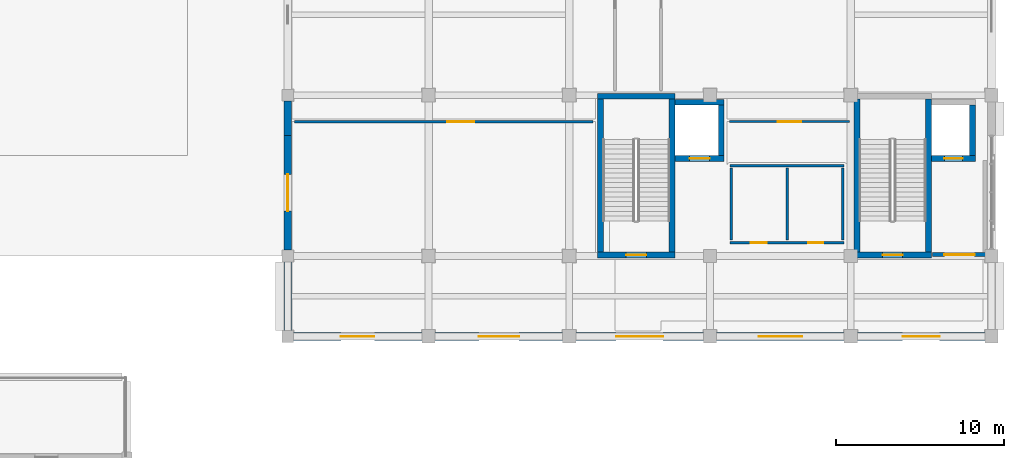
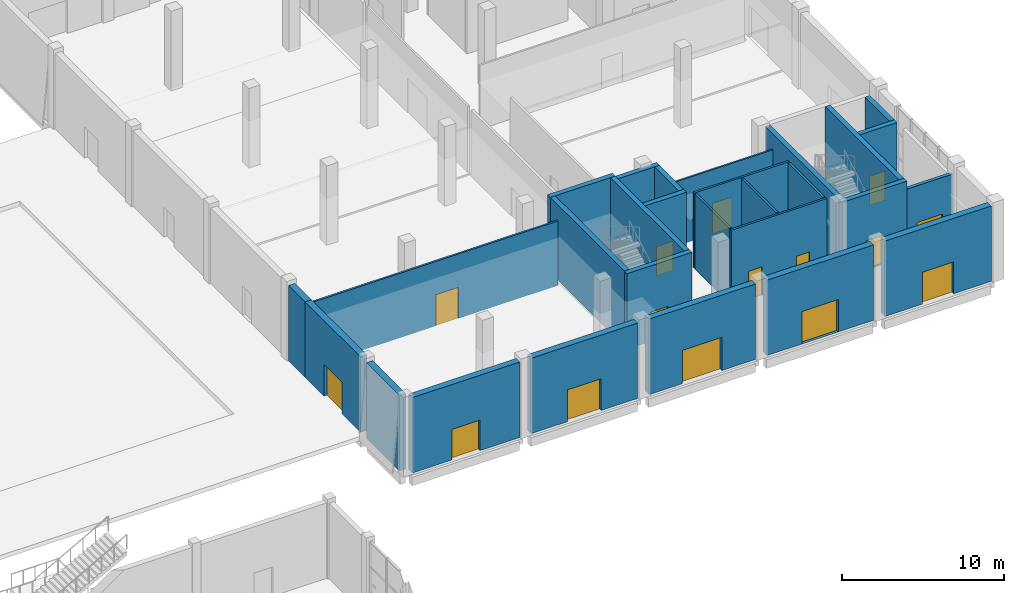
# One storey, part 59 of 84: 28 walls, 15 doors, 15 openings.
"""IFC4 building model written with IfcOpenShell, lengths in metres."""

from ifc_helpers import new_model, si_unit, direction, frame, frame_2d, origin, place, context, subcontext, project, spatial, rectangle, extrude, material, layer, layer_set, type_object, element, fill, save


model = new_model("IFC4")

# Units and contexts
model_context = context("Model", 3, precision=1e-05, world=origin(), true_north=direction((0.0, 1.0)))
body_context = subcontext(model_context, "Body", "Model", "MODEL_VIEW")
ifc_project = project(units=[si_unit("LENGTHUNIT", "METRE"), si_unit("AREAUNIT", "SQUARE_METRE"), si_unit("VOLUMEUNIT", "CUBIC_METRE"), si_unit("PLANEANGLEUNIT", "RADIAN"), si_unit("MASSUNIT", "GRAM", prefix="KILO")], contexts=[model_context])

# Site, building, storey
site_placement = place(None, origin())
site = spatial("IfcSite", under=ifc_project, at=site_placement, CompositionType="ELEMENT")
building_placement = place(site_placement, origin())
building = spatial("IfcBuilding", under=site, at=building_placement, Name="Shalvenor Court Art Gallery", CompositionType="ELEMENT")
storey_placement = place(building_placement, origin())
storey = spatial("IfcBuildingStorey", under=building, at=storey_placement, Name="L00", CompositionType="ELEMENT", Elevation=0.0)

# Wall
ifc_material_1 = material(Name="Concrete C40/50", Category="concrete")
ifc_layer_1 = layer(ifc_material_1, 0.35009765625, Name="Concrete C40/50")
ifc_layer_set_1 = layer_set([ifc_layer_1], Name="Concrete C40/50")
wall_type_1 = type_object("IfcWallType", Name="CW-W1", PredefinedType="SHEAR", material=ifc_layer_set_1)
wall_1_placement = place(storey_placement, frame((172.636962890625, 59.761962890625, 0.0), z_axis=(0.0, 0.0, 1.0), x_axis=(0.0, -1.0, 0.0)))
element("IfcWall", 1, at=wall_1_placement, inside=storey, type_object=wall_type_1, Name="L00 C2 Stair Core Shear Wall E", PredefinedType="SHEAR", context=body_context, shape_type="SweptSolid", body=[
    extrude(rectangle(XDim=9.1240234375, YDim=0.35009765625, at=frame_2d((4.56201171875, 0.0))), origin(), (0.0, 0.0, 1.0), 5.679931640625),
])

# Wall, opening, door
wall_2_placement = place(storey_placement, frame((172.81201171875, 50.462890625, 0.0), z_axis=(0.0, 0.0, 1.0), x_axis=(-1.0, 0.0, 0.0)))
wall_2 = element("IfcWall", 2, at=wall_2_placement, inside=storey, type_object=wall_type_1, Name="L00 C2 Stair Core Shear Wall S", PredefinedType="SHEAR", context=body_context, shape_type="SweptSolid", body=[
    extrude(rectangle(XDim=4.6240234375, YDim=0.35009765625, at=frame_2d((2.31201171875, 0.0))), origin(), (0.0, 0.0, 1.0), 5.679931640625),
])
opening_1_placement = place(wall_2_placement, frame((1.7119140625, 0.0, 0.0)))
opening_1 = element("IfcOpeningElement", 3, at=opening_1_placement, cuts=wall_2, Name="Opening FD-01", PredefinedType="OPENING", context=body_context, shape_type="SweptSolid", body=[
    extrude(rectangle(XDim=1.199951171875, YDim=2.199951171875, at=frame_2d((0.60009765625, 1.10009765625))), frame((0.0, 0.18505859375, 0.0), z_axis=(0.0, -1.0, 0.0), x_axis=(1.0, 0.0, 0.0)), (0.0, 0.0, 1.0), 0.3701171875),
])
ifc_material_2 = material(Name="Fire-rated steel stair doorset", Category="steel")
door_type_1 = type_object("IfcDoorType", Name="FD-01", OperationType="NOTDEFINED", PredefinedType="DOOR", material=ifc_material_2)
door_1_placement = place(opening_1_placement, origin())
door_1 = element("IfcDoor", 4, at=door_1_placement, inside=storey, type_object=door_type_1, Name="DR-ST-L00-C2 L00 ST-02 Fire Stair Door", OperationType="SINGLE_SWING_RIGHT", OverallHeight=2.199951171875, OverallWidth=1.199951171875, PredefinedType="DOOR", context=body_context, shape_type="SweptSolid", body=[
    extrude(rectangle(XDim=1.199951171875, YDim=2.199951171875, at=frame_2d((0.60009765625, 1.10009765625))), frame((0.0, 0.02490234375, 0.0), z_axis=(0.0, -1.0, 0.0), x_axis=(1.0, 0.0, 0.0)), (0.0, 0.0, 1.0), 0.050048828125),
])
fill(opening_1, door_1)

# Walls
wall_3_placement = place(storey_placement, frame((168.363037109375, 50.637939453125, 0.0), z_axis=(0.0, 0.0, 1.0), x_axis=(0.0, 1.0, 0.0)))
element("IfcWall", 5, at=wall_3_placement, inside=storey, type_object=wall_type_1, Name="L00 C2 Stair Core Shear Wall W", PredefinedType="SHEAR", context=body_context, shape_type="SweptSolid", body=[
    extrude(rectangle(XDim=9.1240234375, YDim=0.35009765625, at=frame_2d((4.56201171875, 0.0))), origin(), (0.0, 0.0, 1.0), 5.679931640625),
])
wall_4_placement = place(storey_placement, frame((175.27490234375, 59.39990234375, 0.0), z_axis=(0.0, 0.0, 1.0), x_axis=(0.0, -1.0, 0.0)))
element("IfcWall", 6, at=wall_4_placement, inside=storey, type_object=wall_type_1, Name="L00 FL-02 Lift Shaft Wall E", PredefinedType="SHEAR", context=body_context, shape_type="SweptSolid", body=[
    extrude(rectangle(XDim=3.0, YDim=0.35009765625, at=frame_2d((1.5, 0.0))), origin(), (0.0, 0.0, 1.0), 5.679931640625),
])

# Wall, opening, door
wall_5_placement = place(storey_placement, frame((175.449951171875, 56.22509765625, 0.0), z_axis=(0.0, 0.0, 1.0), x_axis=(-1.0, 0.0, 0.0)))
wall_5 = element("IfcWall", 7, at=wall_5_placement, inside=storey, type_object=wall_type_1, Name="L00 FL-02 Lift Shaft Wall S", PredefinedType="SHEAR", context=body_context, shape_type="SweptSolid", body=[
    extrude(rectangle(XDim=2.637939453125, YDim=0.35009765625, at=frame_2d((1.31884765625, 0.0))), origin(), (0.0, 0.0, 1.0), 5.679931640625),
])
opening_2_placement = place(wall_5_placement, frame((0.76904296875, 0.0, 0.0)))
opening_2 = element("IfcOpeningElement", 8, at=opening_2_placement, cuts=wall_5, Name="Opening LD-01", PredefinedType="OPENING", context=body_context, shape_type="SweptSolid", body=[
    extrude(rectangle(XDim=1.10009765625, YDim=2.199951171875, at=frame_2d((0.550048828125, 1.10009765625))), frame((0.0, 0.18505859375, 0.0), z_axis=(0.0, -1.0, 0.0), x_axis=(1.0, 0.0, 0.0)), (0.0, 0.0, 1.0), 0.3701171875),
])
ifc_material_3 = material(Name="Stainless steel firefighting lift sliding landing door", Category="steel")
door_type_2 = type_object("IfcDoorType", Name="LD-01", OperationType="NOTDEFINED", PredefinedType="DOOR", material=ifc_material_3)
door_2_placement = place(opening_2_placement, origin())
door_2 = element("IfcDoor", 9, at=door_2_placement, inside=storey, type_object=door_type_2, Name="DR-LD-L00-FL-02 L00 FL-02 Lift Landing Sliding Door", OperationType="DOUBLE_DOOR_SLIDING", OverallHeight=2.199951171875, OverallWidth=1.10009765625, PredefinedType="DOOR", context=body_context, shape_type="SweptSolid", body=[
    extrude(rectangle(XDim=1.10009765625, YDim=2.199951171875, at=frame_2d((0.550048828125, 1.10009765625))), frame((0.0, 0.02490234375, 0.0), z_axis=(0.0, -1.0, 0.0), x_axis=(1.0, 0.0, 0.0)), (0.0, 0.0, 1.0), 0.050048828125),
])
fill(opening_2, door_2)

# Walls
wall_6_placement = place(storey_placement, frame((152.887939453125, 59.93701171875, 0.0), z_axis=(0.0, 0.0, 1.0), x_axis=(1.0, 0.0, 0.0)))
element("IfcWall", 10, at=wall_6_placement, inside=storey, type_object=wall_type_1, Name="L00 C3 Stair Core Shear Wall N", PredefinedType="SHEAR", context=body_context, shape_type="SweptSolid", body=[
    extrude(rectangle(XDim=4.6240234375, YDim=0.35009765625, at=frame_2d((2.31201171875, 0.0))), origin(), (0.0, 0.0, 1.0), 5.679931640625),
])
wall_7_placement = place(storey_placement, frame((157.3369140625, 59.761962890625, 0.0), z_axis=(0.0, 0.0, 1.0), x_axis=(0.0, -1.0, 0.0)))
element("IfcWall", 11, at=wall_7_placement, inside=storey, type_object=wall_type_1, Name="L00 C3 Stair Core Shear Wall E", PredefinedType="SHEAR", context=body_context, shape_type="SweptSolid", body=[
    extrude(rectangle(XDim=9.1240234375, YDim=0.35009765625, at=frame_2d((4.56201171875, 0.0))), origin(), (0.0, 0.0, 1.0), 5.679931640625),
])

# Wall, opening, door
wall_8_placement = place(storey_placement, frame((157.511962890625, 50.462890625, 0.0), z_axis=(0.0, 0.0, 1.0), x_axis=(-1.0, 0.0, 0.0)))
wall_8 = element("IfcWall", 12, at=wall_8_placement, inside=storey, type_object=wall_type_1, Name="L00 C3 Stair Core Shear Wall S", PredefinedType="SHEAR", context=body_context, shape_type="SweptSolid", body=[
    extrude(rectangle(XDim=4.6240234375, YDim=0.35009765625, at=frame_2d((2.31201171875, 0.0))), origin(), (0.0, 0.0, 1.0), 5.679931640625),
])
opening_3_placement = place(wall_8_placement, frame((1.7119140625, 0.0, 0.0)))
opening_3 = element("IfcOpeningElement", 13, at=opening_3_placement, cuts=wall_8, Name="Opening FD-01", PredefinedType="OPENING", context=body_context, shape_type="SweptSolid", body=[
    extrude(rectangle(XDim=1.199951171875, YDim=2.199951171875, at=frame_2d((0.60009765625, 1.10009765625))), frame((0.0, 0.18505859375, 0.0), z_axis=(0.0, -1.0, 0.0), x_axis=(1.0, 0.0, 0.0)), (0.0, 0.0, 1.0), 0.3701171875),
])
door_3_placement = place(opening_3_placement, origin())
door_3 = element("IfcDoor", 14, at=door_3_placement, inside=storey, type_object=door_type_1, Name="DR-ST-L00-C3 L00 ST-03 Fire Stair Door", OperationType="SINGLE_SWING_LEFT", OverallHeight=2.199951171875, OverallWidth=1.199951171875, PredefinedType="DOOR", context=body_context, shape_type="SweptSolid", body=[
    extrude(rectangle(XDim=1.199951171875, YDim=2.199951171875, at=frame_2d((0.60009765625, 1.10009765625))), frame((0.0, 0.02490234375, 0.0), z_axis=(0.0, -1.0, 0.0), x_axis=(1.0, 0.0, 0.0)), (0.0, 0.0, 1.0), 0.050048828125),
])
fill(opening_3, door_3)

# Walls
wall_9_placement = place(storey_placement, frame((153.06298828125, 50.637939453125, 0.0), z_axis=(0.0, 0.0, 1.0), x_axis=(0.0, 1.0, 0.0)))
element("IfcWall", 15, at=wall_9_placement, inside=storey, type_object=wall_type_1, Name="L00 C3 Stair Core Shear Wall W", PredefinedType="SHEAR", context=body_context, shape_type="SweptSolid", body=[
    extrude(rectangle(XDim=9.1240234375, YDim=0.35009765625, at=frame_2d((4.56201171875, 0.0))), origin(), (0.0, 0.0, 1.0), 5.679931640625),
])
wall_10_placement = place(storey_placement, frame((157.511962890625, 59.574951171875, 0.0), z_axis=(0.0, 0.0, 1.0), x_axis=(1.0, 0.0, 0.0)))
element("IfcWall", 16, at=wall_10_placement, inside=storey, type_object=wall_type_1, Name="L00 PL-01 Lift Shaft Wall N", PredefinedType="SHEAR", context=body_context, shape_type="SweptSolid", body=[
    extrude(rectangle(XDim=2.93798828125, YDim=0.35009765625, at=frame_2d((1.468994140625, 0.0))), origin(), (0.0, 0.0, 1.0), 5.679931640625),
])
wall_11_placement = place(storey_placement, frame((160.27490234375, 59.39990234375, 0.0), z_axis=(0.0, 0.0, 1.0), x_axis=(0.0, -1.0, 0.0)))
element("IfcWall", 17, at=wall_11_placement, inside=storey, type_object=wall_type_1, Name="L00 PL-01 Lift Shaft Wall E", PredefinedType="SHEAR", context=body_context, shape_type="SweptSolid", body=[
    extrude(rectangle(XDim=3.0, YDim=0.35009765625, at=frame_2d((1.5, 0.0))), origin(), (0.0, 0.0, 1.0), 5.679931640625),
])

# Wall, opening, door
wall_12_placement = place(storey_placement, frame((160.449951171875, 56.22509765625, 0.0), z_axis=(0.0, 0.0, 1.0), x_axis=(-1.0, 0.0, 0.0)))
wall_12 = element("IfcWall", 18, at=wall_12_placement, inside=storey, type_object=wall_type_1, Name="L00 PL-01 Lift Shaft Wall S", PredefinedType="SHEAR", context=body_context, shape_type="SweptSolid", body=[
    extrude(rectangle(XDim=2.93798828125, YDim=0.35009765625, at=frame_2d((1.468994140625, 0.0))), origin(), (0.0, 0.0, 1.0), 5.679931640625),
])
opening_4_placement = place(wall_12_placement, frame((0.868896484375, 0.0, 0.0)))
opening_4 = element("IfcOpeningElement", 19, at=opening_4_placement, cuts=wall_12, Name="Opening LD-02", PredefinedType="OPENING", context=body_context, shape_type="SweptSolid", body=[
    extrude(rectangle(XDim=1.199951171875, YDim=2.199951171875, at=frame_2d((0.60009765625, 1.10009765625))), frame((0.0, 0.18505859375, 0.0), z_axis=(0.0, -1.0, 0.0), x_axis=(1.0, 0.0, 0.0)), (0.0, 0.0, 1.0), 0.3701171875),
])
ifc_material_4 = material(Name="Brushed stainless passenger lift sliding landing door", Category="steel")
door_type_3 = type_object("IfcDoorType", Name="LD-02", OperationType="NOTDEFINED", PredefinedType="DOOR", material=ifc_material_4)
door_4_placement = place(opening_4_placement, origin())
door_4 = element("IfcDoor", 20, at=door_4_placement, inside=storey, type_object=door_type_3, Name="DR-LD-L00-PL-01 L00 PL-01 Lift Landing Sliding Door", OperationType="DOUBLE_DOOR_SLIDING", OverallHeight=2.199951171875, OverallWidth=1.199951171875, PredefinedType="DOOR", context=body_context, shape_type="SweptSolid", body=[
    extrude(rectangle(XDim=1.199951171875, YDim=2.199951171875, at=frame_2d((0.60009765625, 1.10009765625))), frame((0.0, 0.02490234375, 0.0), z_axis=(0.0, -1.0, 0.0), x_axis=(1.0, 0.0, 0.0)), (0.0, 0.0, 1.0), 0.050048828125),
])
fill(opening_4, door_4)

ifc_material_5 = material(Name="Concrete C40/50", Category="concrete")
ifc_layer_2 = layer(ifc_material_5, 0.4599609375, Name="Concrete C40/50")
ifc_layer_set_2 = layer_set([ifc_layer_2], Name="Concrete C40/50")
wall_type_2 = type_object("IfcWallType", Name="EW-01", PredefinedType="SOLIDWALL", material=ifc_layer_set_2)
wall_13_placement = place(storey_placement, frame((176.0, 45.60009765625, 0.0), z_axis=(0.0, 0.0, 1.0), x_axis=(-1.0, 0.0, 0.0)))
wall_13 = element("IfcWall", 21, at=wall_13_placement, inside=storey, type_object=wall_type_2, Name="L00 V1 Exterior Wall WL-L00-0035", PredefinedType="SOLIDWALL", context=body_context, shape_type="SweptSolid", body=[
    extrude(rectangle(XDim=7.60009765625, YDim=0.4599609375, at=frame_2d((3.800048828125, 0.0))), origin(), (0.0, 0.0, 1.0), 5.679931640625),
])
opening_5_placement = place(wall_13_placement, frame((2.699951171875, 0.0, 0.0)))
opening_5 = element("IfcOpeningElement", 22, at=opening_5_placement, cuts=wall_13, Name="Opening ED-04", PredefinedType="OPENING", context=body_context, shape_type="SweptSolid", body=[
    extrude(rectangle(XDim=2.199951171875, YDim=2.39990234375, at=frame_2d((1.10009765625, 1.199951171875))), frame((0.0, 0.239990234375, 0.0), z_axis=(0.0, -1.0, 0.0), x_axis=(1.0, 0.0, 0.0)), (0.0, 0.0, 1.0), 0.47998046875),
])
ifc_material_6 = material(Name="Anodised bronze glazed exit doorset", Category="aluminium")
door_type_4 = type_object("IfcDoorType", Name="ED-04", OperationType="NOTDEFINED", PredefinedType="DOOR", material=ifc_material_6)
door_5_placement = place(opening_5_placement, origin())
door_5 = element("IfcDoor", 23, at=door_5_placement, inside=storey, type_object=door_type_4, Name="DR-EX-09 L00 Pedestrian Final Exit Door", OperationType="DOUBLE_DOOR_SINGLE_SWING", OverallHeight=2.39990234375, OverallWidth=2.199951171875, PredefinedType="DOOR", context=body_context, shape_type="SweptSolid", body=[
    extrude(rectangle(XDim=2.199951171875, YDim=2.39990234375, at=frame_2d((1.10009765625, 1.199951171875))), frame((0.0, 0.02490234375, 0.0), z_axis=(0.0, -1.0, 0.0), x_axis=(1.0, 0.0, 0.0)), (0.0, 0.0, 1.0), 0.050048828125),
])
fill(opening_5, door_5)

wall_14_placement = place(storey_placement, frame((167.60009765625, 45.60009765625, 0.0), z_axis=(0.0, 0.0, 1.0), x_axis=(-1.0, 0.0, 0.0)))
wall_14 = element("IfcWall", 24, at=wall_14_placement, inside=storey, type_object=wall_type_2, Name="L00 V1 Exterior Wall WL-L00-0036", PredefinedType="SOLIDWALL", context=body_context, shape_type="SweptSolid", body=[
    extrude(rectangle(XDim=7.60009765625, YDim=0.4599609375, at=frame_2d((3.800048828125, 0.0))), origin(), (0.0, 0.0, 1.0), 5.679931640625),
])
opening_6_placement = place(wall_14_placement, frame((2.5, 0.0, 0.0)))
opening_6 = element("IfcOpeningElement", 25, at=opening_6_placement, cuts=wall_14, Name="Opening ED-05", PredefinedType="OPENING", context=body_context, shape_type="SweptSolid", body=[
    extrude(rectangle(XDim=2.60009765625, YDim=2.449951171875, at=frame_2d((1.300048828125, 1.22509765625))), frame((0.0, 0.239990234375, 0.0), z_axis=(0.0, -1.0, 0.0), x_axis=(1.0, 0.0, 0.0)), (0.0, 0.0, 1.0), 0.47998046875),
])
ifc_material_7 = material(Name="Anodised bronze glazed exit doorset", Category="aluminium")
door_type_5 = type_object("IfcDoorType", Name="ED-05", OperationType="NOTDEFINED", PredefinedType="DOOR", material=ifc_material_7)
door_6_placement = place(opening_6_placement, origin())
door_6 = element("IfcDoor", 26, at=door_6_placement, inside=storey, type_object=door_type_5, Name="DR-EX-10 L00 Pedestrian Final Exit Door", OperationType="DOUBLE_DOOR_SINGLE_SWING", OverallHeight=2.449951171875, OverallWidth=2.60009765625, PredefinedType="DOOR", context=body_context, shape_type="SweptSolid", body=[
    extrude(rectangle(XDim=2.60009765625, YDim=2.449951171875, at=frame_2d((1.300048828125, 1.22509765625))), frame((0.0, 0.02490234375, 0.0), z_axis=(0.0, -1.0, 0.0), x_axis=(1.0, 0.0, 0.0)), (0.0, 0.0, 1.0), 0.050048828125),
])
fill(opening_6, door_6)

wall_15_placement = place(storey_placement, frame((159.199951171875, 45.60009765625, 0.0), z_axis=(0.0, 0.0, 1.0), x_axis=(-1.0, 0.0, 0.0)))
wall_15 = element("IfcWall", 27, at=wall_15_placement, inside=storey, type_object=wall_type_2, Name="L00 V1 Exterior Wall WL-L00-0037", PredefinedType="SOLIDWALL", context=body_context, shape_type="SweptSolid", body=[
    extrude(rectangle(XDim=7.599853515625, YDim=0.4599609375, at=frame_2d((3.7998046875, 0.0))), origin(), (0.0, 0.0, 1.0), 5.679931640625),
])
opening_7_placement = place(wall_15_placement, frame((2.39990234375, 0.0, 0.0)))
opening_7 = element("IfcOpeningElement", 28, at=opening_7_placement, cuts=wall_15, Name="Opening ED-01", PredefinedType="OPENING", context=body_context, shape_type="SweptSolid", body=[
    extrude(rectangle(XDim=2.800048828125, YDim=2.5, at=frame_2d((1.39990234375, 1.25))), frame((0.0, 0.239990234375, 0.0), z_axis=(0.0, -1.0, 0.0), x_axis=(1.0, 0.0, 0.0)), (0.0, 0.0, 1.0), 0.47998046875),
])
ifc_material_8 = material(Name="Anodised bronze glazed exit doorset", Category="aluminium")
door_type_6 = type_object("IfcDoorType", Name="ED-01", OperationType="NOTDEFINED", PredefinedType="DOOR", material=ifc_material_8)
door_7_placement = place(opening_7_placement, origin())
door_7 = element("IfcDoor", 29, at=door_7_placement, inside=storey, type_object=door_type_6, Name="DR-EX-11 L00 Pedestrian Final Exit Door", OperationType="DOUBLE_DOOR_SINGLE_SWING", OverallHeight=2.5, OverallWidth=2.800048828125, PredefinedType="DOOR", context=body_context, shape_type="SweptSolid", body=[
    extrude(rectangle(XDim=2.800048828125, YDim=2.5, at=frame_2d((1.39990234375, 1.25))), frame((0.0, 0.02490234375, 0.0), z_axis=(0.0, -1.0, 0.0), x_axis=(1.0, 0.0, 0.0)), (0.0, 0.0, 1.0), 0.050048828125),
])
fill(opening_7, door_7)

wall_16_placement = place(storey_placement, frame((150.800048828125, 45.60009765625, 0.0), z_axis=(0.0, 0.0, 1.0), x_axis=(-1.0, 0.0, 0.0)))
wall_16 = element("IfcWall", 30, at=wall_16_placement, inside=storey, type_object=wall_type_2, Name="L00 V1 Exterior Wall WL-L00-0038", PredefinedType="SOLIDWALL", context=body_context, shape_type="SweptSolid", body=[
    extrude(rectangle(XDim=7.60009765625, YDim=0.4599609375, at=frame_2d((3.800048828125, 0.0))), origin(), (0.0, 0.0, 1.0), 5.679931640625),
])
opening_8_placement = place(wall_16_placement, frame((2.60009765625, 0.0, 0.0)))
opening_8 = element("IfcOpeningElement", 31, at=opening_8_placement, cuts=wall_16, Name="Opening ED-02", PredefinedType="OPENING", context=body_context, shape_type="SweptSolid", body=[
    extrude(rectangle(XDim=2.39990234375, YDim=2.39990234375, at=frame_2d((1.199951171875, 1.199951171875))), frame((0.0, 0.239990234375, 0.0), z_axis=(0.0, -1.0, 0.0), x_axis=(1.0, 0.0, 0.0)), (0.0, 0.0, 1.0), 0.47998046875),
])
ifc_material_9 = material(Name="Anodised bronze glazed exit doorset", Category="aluminium")
door_type_7 = type_object("IfcDoorType", Name="ED-02", OperationType="NOTDEFINED", PredefinedType="DOOR", material=ifc_material_9)
door_8_placement = place(opening_8_placement, origin())
door_8 = element("IfcDoor", 32, at=door_8_placement, inside=storey, type_object=door_type_7, Name="DR-EX-12 L00 Pedestrian Final Exit Door", OperationType="DOUBLE_DOOR_SINGLE_SWING", OverallHeight=2.39990234375, OverallWidth=2.39990234375, PredefinedType="DOOR", context=body_context, shape_type="SweptSolid", body=[
    extrude(rectangle(XDim=2.39990234375, YDim=2.39990234375, at=frame_2d((1.199951171875, 1.199951171875))), frame((0.0, 0.02490234375, 0.0), z_axis=(0.0, -1.0, 0.0), x_axis=(1.0, 0.0, 0.0)), (0.0, 0.0, 1.0), 0.050048828125),
])
fill(opening_8, door_8)

wall_17_placement = place(storey_placement, frame((142.39990234375, 45.60009765625, 0.0), z_axis=(0.0, 0.0, 1.0), x_axis=(-1.0, 0.0, 0.0)))
wall_17 = element("IfcWall", 33, at=wall_17_placement, inside=storey, type_object=wall_type_2, Name="L00 V1 Exterior Wall WL-L00-0039", PredefinedType="SOLIDWALL", context=body_context, shape_type="SweptSolid", body=[
    extrude(rectangle(XDim=7.64990234375, YDim=0.4599609375, at=frame_2d((3.824951171875, 0.0))), origin(), (0.0, 0.0, 1.0), 5.679931640625),
])
opening_9_placement = place(wall_17_placement, frame((2.824951171875, 0.0, 0.0)))
opening_9 = element("IfcOpeningElement", 34, at=opening_9_placement, cuts=wall_17, Name="Opening ED-03", PredefinedType="OPENING", context=body_context, shape_type="SweptSolid", body=[
    extrude(rectangle(XDim=2.0, YDim=2.300048828125, at=frame_2d((1.0, 1.14990234375))), frame((0.0, 0.239990234375, 0.0), z_axis=(0.0, -1.0, 0.0), x_axis=(1.0, 0.0, 0.0)), (0.0, 0.0, 1.0), 0.47998046875),
])
ifc_material_10 = material(Name="Anodised bronze glazed exit doorset", Category="aluminium")
door_type_8 = type_object("IfcDoorType", Name="ED-03", OperationType="NOTDEFINED", PredefinedType="DOOR", material=ifc_material_10)
door_9_placement = place(opening_9_placement, origin())
door_9 = element("IfcDoor", 35, at=door_9_placement, inside=storey, type_object=door_type_8, Name="DR-EX-13 L00 Pedestrian Final Exit Door", OperationType="DOUBLE_DOOR_SINGLE_SWING", OverallHeight=2.300048828125, OverallWidth=2.0, PredefinedType="DOOR", context=body_context, shape_type="SweptSolid", body=[
    extrude(rectangle(XDim=2.0, YDim=2.300048828125, at=frame_2d((1.0, 1.14990234375))), frame((0.0, 0.02490234375, 0.0), z_axis=(0.0, -1.0, 0.0), x_axis=(1.0, 0.0, 0.0)), (0.0, 0.0, 1.0), 0.050048828125),
])
fill(opening_9, door_9)

# Wall
wall_18_placement = place(storey_placement, frame((134.39990234375, 45.949951171875, 0.0), z_axis=(0.0, 0.0, 1.0), x_axis=(0.0, 1.0, 0.0)))
element("IfcWall", 36, at=wall_18_placement, inside=storey, type_object=wall_type_2, Name="L00 V1 Exterior Wall WL-L00-0040", PredefinedType="SOLIDWALL", context=body_context, shape_type="SweptSolid", body=[
    extrude(rectangle(XDim=4.10009765625, YDim=0.4599609375, at=frame_2d((2.050048828125, 0.0))), origin(), (0.0, 0.0, 1.0), 5.679931640625),
])

# Wall, opening, door
wall_19_placement = place(storey_placement, frame((134.39990234375, 50.75, 0.0), z_axis=(0.0, 0.0, 1.0), x_axis=(0.0, 1.0, 0.0)))
wall_19 = element("IfcWall", 37, at=wall_19_placement, inside=storey, type_object=wall_type_2, Name="L00 V1 Exterior Wall WL-L00-0041", PredefinedType="SOLIDWALL", context=body_context, shape_type="SweptSolid", body=[
    extrude(rectangle(XDim=6.85009765625, YDim=0.4599609375, at=frame_2d((3.425048828125, 0.0))), origin(), (0.0, 0.0, 1.0), 5.679931640625),
])
opening_10_placement = place(wall_19_placement, frame((2.324951171875, 0.0, 0.0)))
opening_10 = element("IfcOpeningElement", 38, at=opening_10_placement, cuts=wall_19, Name="Opening ED-04", PredefinedType="OPENING", context=body_context, shape_type="SweptSolid", body=[
    extrude(rectangle(XDim=2.199951171875, YDim=2.39990234375, at=frame_2d((1.10009765625, 1.199951171875))), frame((0.0, 0.239990234375, 0.0), z_axis=(0.0, -1.0, 0.0), x_axis=(1.0, 0.0, 0.0)), (0.0, 0.0, 1.0), 0.47998046875),
])
door_10_placement = place(opening_10_placement, origin())
door_10 = element("IfcDoor", 39, at=door_10_placement, inside=storey, type_object=door_type_4, Name="DR-EX-14 L00 Pedestrian Final Exit Door", OperationType="DOUBLE_DOOR_SINGLE_SWING", OverallHeight=2.39990234375, OverallWidth=2.199951171875, PredefinedType="DOOR", context=body_context, shape_type="SweptSolid", body=[
    extrude(rectangle(XDim=2.199951171875, YDim=2.39990234375, at=frame_2d((1.10009765625, 1.199951171875))), frame((0.0, 0.02490234375, 0.0), z_axis=(0.0, -1.0, 0.0), x_axis=(1.0, 0.0, 0.0)), (0.0, 0.0, 1.0), 0.050048828125),
])
fill(opening_10, door_10)

# Wall
wall_20_placement = place(storey_placement, frame((134.39990234375, 57.60009765625, 0.0), z_axis=(0.0, 0.0, 1.0), x_axis=(0.0, 1.0, 0.0)))
element("IfcWall", 40, at=wall_20_placement, inside=storey, type_object=wall_type_2, Name="L00 V1 Exterior Wall WL-L00-0042", PredefinedType="SOLIDWALL", context=body_context, shape_type="SweptSolid", body=[
    extrude(rectangle(XDim=2.0498046875, YDim=0.4599609375, at=frame_2d((1.02490234375, 0.0))), origin(), (0.0, 0.0, 1.0), 5.679931640625),
])

# Wall, opening, door
ifc_material_11 = material(Name="Concrete blockwork fire wall", Category="masonry")
ifc_layer_3 = layer(ifc_material_11, 0.239990234375, Name="Concrete blockwork fire wall")
ifc_layer_set_3 = layer_set([ifc_layer_3], Name="Concrete blockwork fire wall")
wall_type_3 = type_object("IfcWallType", Name="FW-01", PredefinedType="PARTITIONING", material=ifc_layer_set_3)
wall_21_placement = place(storey_placement, frame((176.1201171875, 50.47998046875, 0.0), z_axis=(0.0, 0.0, 1.0), x_axis=(-1.0, 0.0, 0.0)))
wall_21 = element("IfcWall", 41, at=wall_21_placement, inside=storey, type_object=wall_type_3, Name="L00 C2 Firefighting Lobby Wall S", PredefinedType="PARTITIONING", context=body_context, shape_type="SweptSolid", body=[
    extrude(rectangle(XDim=3.25, YDim=0.239990234375, at=frame_2d((1.625, 0.0))), origin(), (0.0, 0.0, 1.0), 5.0048828125),
])
opening_11_placement = place(wall_21_placement, frame((0.72509765625, 0.0, 0.0)))
opening_11 = element("IfcOpeningElement", 42, at=opening_11_placement, cuts=wall_21, Name="Opening FD-02", PredefinedType="OPENING", context=body_context, shape_type="SweptSolid", body=[
    extrude(rectangle(XDim=1.800048828125, YDim=2.25, at=frame_2d((0.89990234375, 1.125))), frame((0.0, 0.1298828125, 0.0), z_axis=(0.0, -1.0, 0.0), x_axis=(1.0, 0.0, 0.0)), (0.0, 0.0, 1.0), 0.260009765625),
])
ifc_material_12 = material(Name="Fire-rated double lobby doorset", Category="steel")
door_type_9 = type_object("IfcDoorType", Name="FD-02", OperationType="NOTDEFINED", PredefinedType="DOOR", material=ifc_material_12)
door_11_placement = place(opening_11_placement, origin())
door_11 = element("IfcDoor", 43, at=door_11_placement, inside=storey, type_object=door_type_9, Name="DR-FFL-L00-C2 L00 C2 Firefighting Lobby Double Door", OperationType="DOUBLE_DOOR_SINGLE_SWING", OverallHeight=2.25, OverallWidth=1.800048828125, PredefinedType="DOOR", context=body_context, shape_type="SweptSolid", body=[
    extrude(rectangle(XDim=1.800048828125, YDim=2.25, at=frame_2d((0.89990234375, 1.125))), frame((0.0, 0.02490234375, 0.0), z_axis=(0.0, -1.0, 0.0), x_axis=(1.0, 0.0, 0.0)), (0.0, 0.0, 1.0), 0.050048828125),
])
fill(opening_11, door_11)

# Wall, openings, doors
ifc_material_13 = material(Name="Moisture-resistant sanitary partition", Category="other")
ifc_layer_4 = layer(ifc_material_13, 0.14990234375, Name="Moisture-resistant sanitary partition")
ifc_layer_set_4 = layer_set([ifc_layer_4], Name="Moisture-resistant sanitary partition")
wall_type_4 = type_object("IfcWallType", Name="PT-03", PredefinedType="PARTITIONING", material=ifc_layer_set_4)
wall_22_placement = place(storey_placement, frame((167.60009765625, 51.199951171875, 0.0), z_axis=(0.0, 0.0, 1.0), x_axis=(-1.0, 0.0, 0.0)))
wall_22 = element("IfcWall", 44, at=wall_22_placement, inside=storey, type_object=wall_type_4, Name="L00 C2 Restroom Front Partition", PredefinedType="PARTITIONING", context=body_context, shape_type="SweptSolid", body=[
    extrude(rectangle(XDim=6.800048828125, YDim=0.14990234375, at=frame_2d((3.39990234375, 0.0))), origin(), (0.0, 0.0, 1.0), 5.679931640625),
])
opening_12_placement = place(wall_22_placement, frame((1.25, 0.0, 0.0)))
opening_12 = element("IfcOpeningElement", 45, at=opening_12_placement, cuts=wall_22, Name="Opening ID-07", PredefinedType="OPENING", context=body_context, shape_type="SweptSolid", body=[
    extrude(rectangle(XDim=0.89990234375, YDim=2.10009765625, at=frame_2d((0.449951171875, 1.050048828125))), frame((0.0, 0.0849609375, 0.0), z_axis=(0.0, -1.0, 0.0), x_axis=(1.0, 0.0, 0.0)), (0.0, 0.0, 1.0), 0.169921875),
])
opening_13_placement = place(wall_22_placement, frame((4.625, 0.0, 0.0)))
opening_13 = element("IfcOpeningElement", 46, at=opening_13_placement, cuts=wall_22, Name="Opening ID-06", PredefinedType="OPENING", context=body_context, shape_type="SweptSolid", body=[
    extrude(rectangle(XDim=0.949951171875, YDim=2.14990234375, at=frame_2d((0.47509765625, 1.074951171875))), frame((0.0, 0.0849609375, 0.0), z_axis=(0.0, -1.0, 0.0), x_axis=(1.0, 0.0, 0.0)), (0.0, 0.0, 1.0), 0.169921875),
])
ifc_material_14 = material(Name="Accessible restroom doorset", Category="steel")
door_type_10 = type_object("IfcDoorType", Name="ID-06", OperationType="NOTDEFINED", PredefinedType="DOOR", material=ifc_material_14)
door_12_placement = place(opening_13_placement, origin())
door_12 = element("IfcDoor", 47, at=door_12_placement, inside=storey, type_object=door_type_10, Name="DR-AWC-L00-C2-2 L00 C2 Accessible Restroom Door", OperationType="SINGLE_SWING_RIGHT", OverallHeight=2.14990234375, OverallWidth=0.949951171875, PredefinedType="DOOR", context=body_context, shape_type="SweptSolid", body=[
    extrude(rectangle(XDim=0.949951171875, YDim=2.14990234375, at=frame_2d((0.47509765625, 1.074951171875))), frame((0.0, 0.02490234375, 0.0), z_axis=(0.0, -1.0, 0.0), x_axis=(1.0, 0.0, 0.0)), (0.0, 0.0, 1.0), 0.050048828125),
])
fill(opening_13, door_12)
ifc_material_15 = material(Name="Restroom timber doorset", Category="wood")
door_type_11 = type_object("IfcDoorType", Name="ID-07", OperationType="NOTDEFINED", PredefinedType="DOOR", material=ifc_material_15)
door_13_placement = place(opening_12_placement, origin())
door_13 = element("IfcDoor", 48, at=door_13_placement, inside=storey, type_object=door_type_11, Name="DR-WC-L00-C2-1 L00 C2 Public Restroom Door", OperationType="SINGLE_SWING_LEFT", OverallHeight=2.10009765625, OverallWidth=0.89990234375, PredefinedType="DOOR", context=body_context, shape_type="SweptSolid", body=[
    extrude(rectangle(XDim=0.89990234375, YDim=2.10009765625, at=frame_2d((0.449951171875, 1.050048828125))), frame((0.0, 0.02490234375, 0.0), z_axis=(0.0, -1.0, 0.0), x_axis=(1.0, 0.0, 0.0)), (0.0, 0.0, 1.0), 0.050048828125),
])
fill(opening_12, door_13)

# Walls
wall_23_placement = place(storey_placement, frame((160.800048828125, 55.800048828125, 0.0), z_axis=(0.0, 0.0, 1.0), x_axis=(1.0, 0.0, 0.0)))
element("IfcWall", 49, at=wall_23_placement, inside=storey, type_object=wall_type_4, Name="L00 C2 Restroom Back Partition", PredefinedType="PARTITIONING", context=body_context, shape_type="SweptSolid", body=[
    extrude(rectangle(XDim=6.800048828125, YDim=0.14990234375, at=frame_2d((3.39990234375, 0.0))), origin(), (0.0, 0.0, 1.0), 5.679931640625),
])
for number, where, z_axis, x_axis, name in (
    (50, (160.875, 51.360107421875, 0.0), (0.0, 0.0, 1.0), (0.0, 1.0, 0.0), "L00 C2 Restroom Partition L"),
    (51, (164.199951171875, 51.360107421875, 0.0), (0.0, 0.0, 1.0), (0.0, 1.0, 0.0), "L00 C2 Restroom Partition M"),
    (52, (167.52490234375, 51.360107421875, 0.0), (0.0, 0.0, 1.0), (0.0, 1.0, 0.0), "L00 C2 Restroom Partition R"),
):
    element("IfcWall", number, at=place(storey_placement, frame(where, z_axis=z_axis, x_axis=x_axis)), inside=storey, type_object=wall_type_4, Name=name, PredefinedType="PARTITIONING", context=body_context, shape_type="SweptSolid", body=[
        extrude(rectangle(XDim=4.27978515625, YDim=0.14990234375, at=frame_2d((2.139892578125, 0.0))), origin(), (0.0, 0.0, 1.0), 5.679931640625),
    ])

# Wall, opening, door
ifc_material_16 = material(Name="Insulated studio acoustic partition", Category="other")
ifc_layer_5 = layer(ifc_material_16, 0.135009765625, Name="Insulated studio acoustic partition")
ifc_layer_set_5 = layer_set([ifc_layer_5], Name="Insulated studio acoustic partition")
wall_type_5 = type_object("IfcWallType", Name="PT-04", PredefinedType="PARTITIONING", material=ifc_layer_set_5)
wall_24_placement = place(storey_placement, frame((134.800048828125, 58.419921875, 0.0), z_axis=(0.0, 0.0, 1.0), x_axis=(1.0, 0.0, 0.0)))
wall_24 = element("IfcWall", 53, at=wall_24_placement, inside=storey, type_object=wall_type_5, Name="L00 Public Entrance Foyer Partition 591", PredefinedType="PARTITIONING", context=body_context, shape_type="SweptSolid", body=[
    extrude(rectangle(XDim=17.829833984375, YDim=0.135009765625, at=frame_2d((8.9150390625, 0.0))), origin(), (0.0, 0.0, 1.0), 4.85498046875),
])
opening_14_placement = place(wall_24_placement, frame((9.114990234375, 0.0, 0.0)))
opening_14 = element("IfcOpeningElement", 54, at=opening_14_placement, cuts=wall_24, Name="Opening ID-02", PredefinedType="OPENING", context=body_context, shape_type="SweptSolid", body=[
    extrude(rectangle(XDim=1.60009765625, YDim=2.35009765625, at=frame_2d((0.800048828125, 1.175048828125))), frame((0.0, 0.077392578125, 0.0), z_axis=(0.0, -1.0, 0.0), x_axis=(1.0, 0.0, 0.0)), (0.0, 0.0, 1.0), 0.155029296875),
])
ifc_material_17 = material(Name="Oak-veneered gallery double doorset", Category="wood")
door_type_12 = type_object("IfcDoorType", Name="ID-02", OperationType="NOTDEFINED", PredefinedType="DOOR", material=ifc_material_17)
door_14_placement = place(opening_14_placement, origin())
door_14 = element("IfcDoor", 55, at=door_14_placement, inside=storey, type_object=door_type_12, Name="DR-RM-L00-0122 L00 Public Entrance Foyer Door", OperationType="DOUBLE_DOOR_SINGLE_SWING", OverallHeight=2.35009765625, OverallWidth=1.60009765625, PredefinedType="DOOR", context=body_context, shape_type="SweptSolid", body=[
    extrude(rectangle(XDim=1.60009765625, YDim=2.35009765625, at=frame_2d((0.800048828125, 1.175048828125))), frame((0.0, 0.02490234375, 0.0), z_axis=(0.0, -1.0, 0.0), x_axis=(1.0, 0.0, 0.0)), (0.0, 0.0, 1.0), 0.050048828125),
])
fill(opening_14, door_14)

ifc_material_18 = material(Name="Lightweight office gypsum partition", Category="other")
ifc_layer_6 = layer(ifc_material_18, 0.1201171875, Name="Lightweight office gypsum partition")
ifc_layer_set_6 = layer_set([ifc_layer_6], Name="Lightweight office gypsum partition")
wall_type_6 = type_object("IfcWallType", Name="PT-05", PredefinedType="PARTITIONING", material=ifc_layer_set_6)
wall_25_placement = place(storey_placement, frame((160.77001953125, 58.419921875, 0.0), z_axis=(0.0, 0.0, 1.0), x_axis=(1.0, 0.0, 0.0)))
wall_25 = element("IfcWall", 56, at=wall_25_placement, inside=storey, type_object=wall_type_6, Name="L00 Public Entrance Foyer Wing B Partition 592", PredefinedType="PARTITIONING", context=body_context, shape_type="SweptSolid", body=[
    extrude(rectangle(XDim=7.159912109375, YDim=0.1201171875, at=frame_2d((3.580078125, 0.0))), origin(), (0.0, 0.0, 1.0), 4.85498046875),
])
opening_15_placement = place(wall_25_placement, frame((2.8798828125, 0.0, 0.0)))
opening_15 = element("IfcOpeningElement", 57, at=opening_15_placement, cuts=wall_25, Name="Opening ID-03", PredefinedType="OPENING", context=body_context, shape_type="SweptSolid", body=[
    extrude(rectangle(XDim=1.39990234375, YDim=2.300048828125, at=frame_2d((0.699951171875, 1.14990234375))), frame((0.0, 0.070068359375, 0.0), z_axis=(0.0, -1.0, 0.0), x_axis=(1.0, 0.0, 0.0)), (0.0, 0.0, 1.0), 0.14013671875),
])
ifc_material_19 = material(Name="Timber studio double leaf doorset", Category="wood")
door_type_13 = type_object("IfcDoorType", Name="ID-03", OperationType="NOTDEFINED", PredefinedType="DOOR", material=ifc_material_19)
door_15_placement = place(opening_15_placement, origin())
door_15 = element("IfcDoor", 58, at=door_15_placement, inside=storey, type_object=door_type_13, Name="DR-RM-L00-0123 L00 Public Entrance Foyer Wing B Door", OperationType="DOUBLE_DOOR_SINGLE_SWING", OverallHeight=2.300048828125, OverallWidth=1.39990234375, PredefinedType="DOOR", context=body_context, shape_type="SweptSolid", body=[
    extrude(rectangle(XDim=1.39990234375, YDim=2.300048828125, at=frame_2d((0.699951171875, 1.14990234375))), frame((0.0, 0.02490234375, 0.0), z_axis=(0.0, -1.0, 0.0), x_axis=(1.0, 0.0, 0.0)), (0.0, 0.0, 1.0), 0.050048828125),
])
fill(opening_15, door_15)

save(model, "model.ifc")
